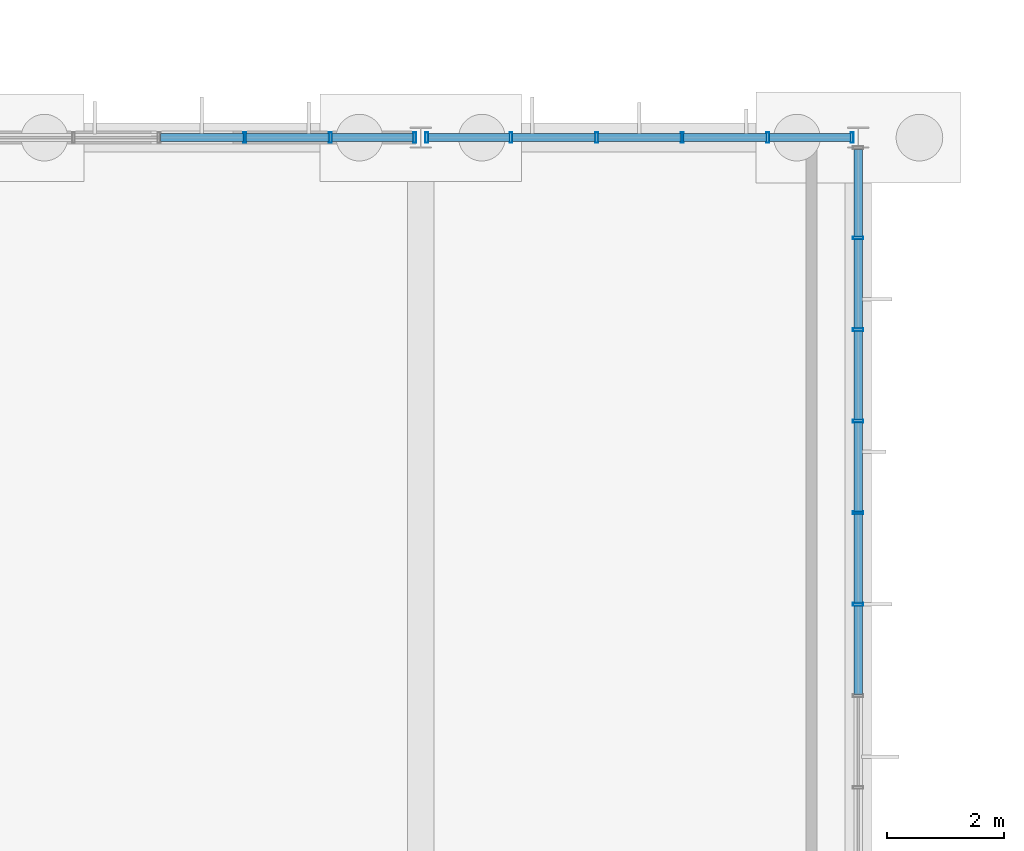
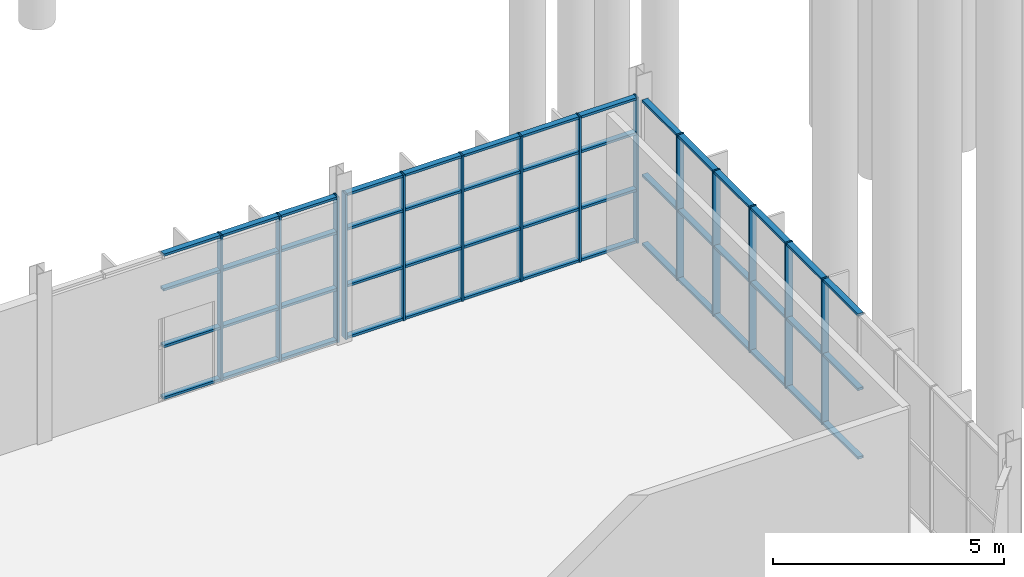
# One storey, part 39 of 136: 64 members, 3 elements without a shape of their own.
"""IFC4 building model written with IfcOpenShell, lengths in metres."""

import ifcopenshell
import ifcopenshell.guid

model = None  # the IFC model being written
_history = None  # IfcOwnerHistory: only IFC2X3 demands one
_inside = {}  # id of a spatial element -> (the spatial element, [elements in it])
_under = {}  # id of a project, library or spatial element -> (it, [spatial elements below it])
_declared = {}  # id of a project -> (the project, [libraries it declares])
_typed = {}  # id of a type object -> (the type object, [elements of that type])
_made_of = {}  # id of a material, layer set ... -> (it, [elements and type objects made of it])


def new_model(schema):
    """Start an empty IFC model of exactly this schema.

    Asked for "IFC4X3", IfcOpenShell would pick the latest addendum, in which some entities
    have other attributes; the version numbers below select the first issue.
    IFC2X3 requires an IfcOwnerHistory on every rooted entity: one is made here for all.
    """
    global model, _history
    if schema == "IFC4X3":
        model = ifcopenshell.file(schema_version=(4, 3, 0, 0))
    else:
        model = ifcopenshell.file(schema=schema)
    _inside.clear()
    _under.clear()
    _declared.clear()
    _typed.clear()
    _made_of.clear()
    _history = None
    if model.schema == "IFC2X3":
        org = make("IfcOrganization", Name="unknown")
        user = make(
            "IfcPersonAndOrganization",
            ThePerson=make("IfcPerson", FamilyName="unknown"),
            TheOrganization=org,
        )
        app = make(
            "IfcApplication",
            ApplicationDeveloper=org,
            Version="unknown",
            ApplicationFullName="unknown",
            ApplicationIdentifier="unknown",
        )
        _history = make(
            "IfcOwnerHistory",
            OwningUser=user,
            OwningApplication=app,
            ChangeAction="ADDED",
            CreationDate=0,
        )
    return model


def make(cls, **values):
    """One entity of the class cls with the attributes given. An attribute that is None is left unset."""
    return model.create_entity(
        cls, **{name: value for name, value in values.items() if value is not None}
    )


def rooted(cls, **values):
    """An entity with a GlobalId (a new one), such as an element, a storey or a relation."""
    return make(cls, GlobalId=ifcopenshell.guid.new(), OwnerHistory=_history, **values)


def si_unit(unit_type, name, prefix=None):
    """IfcSIUnit, for example si_unit("LENGTHUNIT", "METRE", prefix="MILLI")."""
    return make("IfcSIUnit", UnitType=unit_type, Prefix=prefix, Name=name)


def assignment(units):
    """IfcUnitAssignment: the units of a project."""
    return None if units is None else make("IfcUnitAssignment", Units=units)


def point(xyz):
    """IfcCartesianPoint."""
    return None if xyz is None else make("IfcCartesianPoint", Coordinates=xyz)


def direction(xyz):
    """IfcDirection."""
    return None if xyz is None else make("IfcDirection", DirectionRatios=xyz)


def frame(location, z_axis=None, x_axis=None):
    """IfcAxis2Placement3D, a coordinate frame: its origin and axes. An axis left out is left unset."""
    return make(
        "IfcAxis2Placement3D",
        Location=point(location),
        Axis=direction(z_axis),
        RefDirection=direction(x_axis),
    )


def frame_2d(location, x_axis=None):
    """IfcAxis2Placement2D, a coordinate frame in the plane: its origin and x axis."""
    return make(
        "IfcAxis2Placement2D", Location=point(location), RefDirection=direction(x_axis)
    )


def origin():
    """The frame at (0, 0, 0) with its axes left unset."""
    return frame((0.0, 0.0, 0.0))


def origin_2d():
    """The frame at (0, 0) in the plane with its x axis left unset."""
    return frame_2d((0.0, 0.0))


def place(relative_to, where):
    """IfcLocalPlacement: puts the frame where relative to a parent placement (None: the world)."""
    return make(
        "IfcLocalPlacement", PlacementRelTo=relative_to, RelativePlacement=where
    )


def context(
    kind, dimensions, precision=None, world=None, true_north=None, identifier=None
):
    """IfcGeometricRepresentationContext, for example the 3D "Model" context."""
    return make(
        "IfcGeometricRepresentationContext",
        ContextIdentifier=identifier,
        ContextType=kind,
        CoordinateSpaceDimension=dimensions,
        Precision=precision,
        WorldCoordinateSystem=world,
        TrueNorth=true_north,
    )


def subcontext(parent, identifier, kind, view, scale=None):
    """IfcGeometricRepresentationSubContext, for example "Body" below "Model"."""
    return make(
        "IfcGeometricRepresentationSubContext",
        ContextIdentifier=identifier,
        ContextType=kind,
        ParentContext=parent,
        TargetScale=scale,
        TargetView=view,
    )


def project(units=None, contexts=None):
    """IfcProject with its units and contexts."""
    return rooted(
        "IfcProject",
        Name="project",
        RepresentationContexts=contexts,
        UnitsInContext=assignment(units),
    )


def spatial(cls, under=None, at=None, **own):
    """A site, building, storey or space (cls), placed at a placement, below another one or the project."""
    s = rooted(cls, ObjectPlacement=at, **own)
    if under is not None:
        _under.setdefault(under.id(), (under, []))[1].append(s)
    return s


def profile(cls, at=None, kind="AREA", **sizes):
    """A parametric profile (cls). Its sizes go by their IFC names, for example OverallWidth=200.0."""
    return make(cls, ProfileType=kind, Position=at, **sizes)


def hollow_rectangle(**sizes):
    """IfcRectangleHollowProfileDef."""
    return profile("IfcRectangleHollowProfileDef", **sizes)


def extrude(swept, where, along, depth):
    """IfcExtrudedAreaSolid: the profile swept, set in the frame where, extruded along a direction by depth."""
    return make(
        "IfcExtrudedAreaSolid",
        SweptArea=swept,
        Position=where,
        ExtrudedDirection=direction(along),
        Depth=depth,
    )


def shape(context_of_items, identifier, shape_type, items):
    """IfcShapeRepresentation: the items that make up one representation, for example the "Body"."""
    return make(
        "IfcShapeRepresentation",
        ContextOfItems=context_of_items,
        RepresentationIdentifier=identifier,
        RepresentationType=shape_type,
        Items=items,
    )


def material(Name=None, Category=None):
    """IfcMaterial."""
    return make("IfcMaterial", Name=Name, Category=Category)


def layer(
    of_material, thickness, ventilated=None, Name=None, Category=None, Priority=None
):
    """IfcMaterialLayer: one layer of a wall or slab, of a material (None: an air gap)."""
    return make(
        "IfcMaterialLayer",
        Material=of_material,
        LayerThickness=thickness,
        IsVentilated=ventilated,
        Name=Name,
        Category=Category,
        Priority=Priority,
    )


def layer_set(layers, Name=None):
    """IfcMaterialLayerSet."""
    return make("IfcMaterialLayerSet", MaterialLayers=layers, LayerSetName=Name)


def material_profile(
    of_material, cross_section, Name=None, Category=None, Priority=None
):
    """IfcMaterialProfile: a cross section and its material."""
    return make(
        "IfcMaterialProfile",
        Name=Name,
        Material=of_material,
        Profile=cross_section,
        Priority=Priority,
        Category=Category,
    )


def profile_set(profiles, Name=None, composite=None):
    """IfcMaterialProfileSet."""
    return make(
        "IfcMaterialProfileSet",
        Name=Name,
        MaterialProfiles=profiles,
        CompositeProfile=composite,
    )


def made_of(thing, what):
    """Note that an element or type object is made of a material, layer set ...; save() writes the relation."""
    if what is not None:
        _made_of.setdefault(what.id(), (what, []))[1].append(thing)
    return thing


def type_object(cls, material=None, **own):
    """A type object (cls), such as IfcWallType, which elements share."""
    return made_of(rooted(cls, **own), material)


def element(
    cls,
    number,
    at=None,
    inside=None,
    cuts=None,
    type_object=None,
    material=None,
    context=None,
    identifier="Body",
    shape_type=None,
    held_by="IfcProductDefinitionShape",
    body=None,
    shapes=None,
    **own,
):
    """One element of the class cls, such as IfcWall. Its Tag is "e" and its number.

    at: its placement. inside: the storey or other place that contains it. cuts: it is an
    opening in that element (IfcRelVoidsElement). A single representation is given by context,
    identifier, shape_type and body (its items); several are given by shapes. held_by: the class
    of the entity that holds the representations. save() writes the other relations.
    """
    e = rooted(cls, Tag="e%d" % number, ObjectPlacement=at, **own)
    if body is not None:
        shapes = [shape(context, identifier, shape_type, body)]
    if shapes is not None:
        e.Representation = make(held_by, Representations=shapes)
    if inside is not None:
        _inside.setdefault(inside.id(), (inside, []))[1].append(e)
    if cuts is not None:
        rooted(
            "IfcRelVoidsElement", RelatingBuildingElement=cuts, RelatedOpeningElement=e
        )
    if type_object is not None:
        _typed.setdefault(type_object.id(), (type_object, []))[1].append(e)
    return made_of(e, material)


def aggregate(whole, parts):
    """IfcRelAggregates: a whole, such as a stair, and the parts it consists of."""
    return rooted("IfcRelAggregates", RelatingObject=whole, RelatedObjects=parts)


def save(model, path):
    """Write the relations noted so far, then the file.

    IfcRelAggregates (storeys below a building ...), IfcRelContainedInSpatialStructure (elements
    in a storey), IfcRelDefinesByType, IfcRelAssociatesMaterial and IfcRelDeclares: one each for
    every whole, place, type object, material and project.
    """
    for whole, parts in _under.values():
        aggregate(whole, parts)
    for where, things in _inside.values():
        rooted(
            "IfcRelContainedInSpatialStructure",
            RelatedElements=things,
            RelatingStructure=where,
        )
    for kind, things in _typed.values():
        rooted("IfcRelDefinesByType", RelatedObjects=things, RelatingType=kind)
    for what, things in _made_of.values():
        rooted("IfcRelAssociatesMaterial", RelatedObjects=things, RelatingMaterial=what)
    for by, libraries in _declared.values():
        rooted("IfcRelDeclares", RelatingContext=by, RelatedDefinitions=libraries)
    model.write(path)


model = new_model("IFC4")

# Units and contexts
model_context = context("Model", 3, precision=1e-05, world=origin(), true_north=direction((0.0, 1.0)))
body_context = subcontext(model_context, "Body", "Model", "MODEL_VIEW")
ifc_project = project(units=[si_unit("LENGTHUNIT", "METRE"), si_unit("AREAUNIT", "SQUARE_METRE"), si_unit("VOLUMEUNIT", "CUBIC_METRE"), si_unit("PLANEANGLEUNIT", "RADIAN"), si_unit("MASSUNIT", "GRAM", prefix="KILO")], contexts=[model_context])

# Site, building, storey
site_placement = place(None, origin())
site = spatial("IfcSite", under=ifc_project, at=site_placement, CompositionType="ELEMENT")
building_placement = place(site_placement, origin())
building = spatial("IfcBuilding", under=site, at=building_placement, Name="Solvenia Promenade Tram Depot", CompositionType="ELEMENT")
storey_placement = place(building_placement, origin())
storey = spatial("IfcBuildingStorey", under=building, at=storey_placement, Name="L00", CompositionType="ELEMENT", Elevation=0.0)

# Curtain wall, members
ifc_material = material(Name="Anodized aluminium AW-6063 T6", Category="aluminium")
ifc_layer = layer(ifc_material, 0.14990234375, Name="Anodized aluminium AW-6063 T6", Category="aluminium")
ifc_layer_set = layer_set([ifc_layer], Name="Anodized aluminium AW-6063 T6")
curtain_wall_type = type_object("IfcCurtainWallType", Name="CW-Court-1500", PredefinedType="NOTDEFINED", material=ifc_layer_set)
curtain_wall_1_placement = place(storey_placement, origin())
curtain_wall_1 = element("IfcCurtainWall", 1, at=curtain_wall_1_placement, inside=storey, type_object=curtain_wall_type, Name="Curtain Wall CW-V4N-L00-11", PredefinedType="NOTDEFINED")
ifc_material_profile_1 = material_profile(ifc_material, hollow_rectangle(XDim=0.179931640625, YDim=0.050048828125, WallThickness=0.00390625, at=origin_2d()), Name="ALU-M2", Category="aluminium")
ifc_profile_set_1 = profile_set([ifc_material_profile_1], Name="Anodized aluminium AW-6063 T6")
member_type_1 = type_object("IfcMemberType", Name="CWM-Mullion-2", PredefinedType="MULLION", material=ifc_profile_set_1)
member_1_placement = place(storey_placement, frame((79.48388671875, 24.0, 0.0), z_axis=(0.0, 0.0, 1.0), x_axis=(0.0, 1.0, 0.0)))
member_1 = element("IfcMember", 2, at=member_1_placement, type_object=member_type_1, Name="CW-5 mullion 4", PredefinedType="MULLION", context=body_context, shape_type="SweptSolid", body=[
    extrude(hollow_rectangle(XDim=0.179931640625, YDim=0.050048828125, WallThickness=0.00390625, at=origin_2d()), origin(), (0.0, 0.0, 1.0), 3.85009765625),
])
member_2_placement = place(storey_placement, frame((80.951904296875, 24.0, 0.0), z_axis=(0.0, 0.0, 1.0), x_axis=(0.0, 1.0, 0.0)))
member_2 = element("IfcMember", 3, at=member_2_placement, type_object=member_type_1, Name="CW-5 mullion 5", PredefinedType="MULLION", context=body_context, shape_type="SweptSolid", body=[
    extrude(hollow_rectangle(XDim=0.179931640625, YDim=0.050048828125, WallThickness=0.00390625, at=origin_2d()), origin(), (0.0, 0.0, 1.0), 3.85009765625),
])
member_3_placement = place(storey_placement, frame((82.39501953125, 24.0, 0.0), z_axis=(0.0, 0.0, 1.0), x_axis=(0.0, 1.0, 0.0)))
member_3 = element("IfcMember", 4, at=member_3_placement, type_object=member_type_1, Name="CW-5 mullion 6", PredefinedType="MULLION", context=body_context, shape_type="SweptSolid", body=[
    extrude(hollow_rectangle(XDim=0.179931640625, YDim=0.050048828125, WallThickness=0.00390625, at=origin_2d()), origin(), (0.0, 0.0, 1.0), 3.85009765625),
])

curtain_wall_2_placement = place(storey_placement, origin())
curtain_wall_2 = element("IfcCurtainWall", 5, at=curtain_wall_2_placement, inside=storey, type_object=curtain_wall_type, Name="Curtain Wall CW-V4N-L00-12", PredefinedType="NOTDEFINED")
member_4_placement = place(storey_placement, frame((82.60498046875, 24.0, 0.0), z_axis=(0.0, 0.0, 1.0), x_axis=(0.0, 1.0, 0.0)))
member_4 = element("IfcMember", 6, at=member_4_placement, type_object=member_type_1, Name="CW-5 mullion 1", PredefinedType="MULLION", context=body_context, shape_type="SweptSolid", body=[
    extrude(hollow_rectangle(XDim=0.179931640625, YDim=0.050048828125, WallThickness=0.00390625, at=origin_2d()), origin(), (0.0, 0.0, 1.0), 3.85009765625),
])
member_5_placement = place(storey_placement, frame((84.048095703125, 24.0, 0.0), z_axis=(0.0, 0.0, 1.0), x_axis=(0.0, 1.0, 0.0)))
member_5 = element("IfcMember", 7, at=member_5_placement, type_object=member_type_1, Name="CW-5 mullion 2", PredefinedType="MULLION", context=body_context, shape_type="SweptSolid", body=[
    extrude(hollow_rectangle(XDim=0.179931640625, YDim=0.050048828125, WallThickness=0.00390625, at=origin_2d()), origin(), (0.0, 0.0, 1.0), 3.85009765625),
])
member_6_placement = place(storey_placement, frame((85.51611328125, 24.0, 0.0), z_axis=(0.0, 0.0, 1.0), x_axis=(0.0, 1.0, 0.0)))
member_6 = element("IfcMember", 8, at=member_6_placement, type_object=member_type_1, Name="CW-5 mullion 3", PredefinedType="MULLION", context=body_context, shape_type="SweptSolid", body=[
    extrude(hollow_rectangle(XDim=0.179931640625, YDim=0.050048828125, WallThickness=0.00390625, at=origin_2d()), origin(), (0.0, 0.0, 1.0), 3.85009765625),
])
member_7_placement = place(storey_placement, frame((86.98388671875, 24.0, 0.0), z_axis=(0.0, 0.0, 1.0), x_axis=(0.0, 1.0, 0.0)))
member_7 = element("IfcMember", 9, at=member_7_placement, type_object=member_type_1, Name="CW-5 mullion 4", PredefinedType="MULLION", context=body_context, shape_type="SweptSolid", body=[
    extrude(hollow_rectangle(XDim=0.179931640625, YDim=0.050048828125, WallThickness=0.00390625, at=origin_2d()), origin(), (0.0, 0.0, 1.0), 3.85009765625),
])
member_8_placement = place(storey_placement, frame((88.451904296875, 24.0, 0.0), z_axis=(0.0, 0.0, 1.0), x_axis=(0.0, 1.0, 0.0)))
member_8 = element("IfcMember", 10, at=member_8_placement, type_object=member_type_1, Name="CW-5 mullion 5", PredefinedType="MULLION", context=body_context, shape_type="SweptSolid", body=[
    extrude(hollow_rectangle(XDim=0.179931640625, YDim=0.050048828125, WallThickness=0.00390625, at=origin_2d()), origin(), (0.0, 0.0, 1.0), 3.85009765625),
])
member_9_placement = place(storey_placement, frame((89.89501953125, 24.0, 0.0), z_axis=(0.0, 0.0, 1.0), x_axis=(0.0, 1.0, 0.0)))
member_9 = element("IfcMember", 11, at=member_9_placement, type_object=member_type_1, Name="CW-5 mullion 6", PredefinedType="MULLION", context=body_context, shape_type="SweptSolid", body=[
    extrude(hollow_rectangle(XDim=0.179931640625, YDim=0.050048828125, WallThickness=0.00390625, at=origin_2d()), origin(), (0.0, 0.0, 1.0), 3.85009765625),
])

curtain_wall_3_placement = place(storey_placement, origin())
curtain_wall_3 = element("IfcCurtainWall", 12, at=curtain_wall_3_placement, inside=storey, type_object=curtain_wall_type, Name="Curtain Wall CW-V4E-L00", PredefinedType="NOTDEFINED")
member_10_placement = place(storey_placement, frame((90.0, 16.0, 0.0), z_axis=(0.0, 0.0, 1.0), x_axis=(-1.0, 0.0, 0.0)))
member_10 = element("IfcMember", 13, at=member_10_placement, type_object=member_type_1, Name="CW-5 mullion 6", PredefinedType="MULLION", context=body_context, shape_type="SweptSolid", body=[
    extrude(hollow_rectangle(XDim=0.179931640625, YDim=0.050048828125, WallThickness=0.00390625, at=origin_2d()), origin(), (0.0, 0.0, 1.0), 3.85009765625),
])
member_11_placement = place(storey_placement, frame((90.0, 17.570068359375, 0.0), z_axis=(0.0, 0.0, 1.0), x_axis=(-1.0, 0.0, 0.0)))
member_11 = element("IfcMember", 14, at=member_11_placement, type_object=member_type_1, Name="CW-5 mullion 7", PredefinedType="MULLION", context=body_context, shape_type="SweptSolid", body=[
    extrude(hollow_rectangle(XDim=0.179931640625, YDim=0.050048828125, WallThickness=0.00390625, at=origin_2d()), origin(), (0.0, 0.0, 1.0), 3.85009765625),
])
member_12_placement = place(storey_placement, frame((90.0, 19.139892578125, 0.0), z_axis=(0.0, 0.0, 1.0), x_axis=(-1.0, 0.0, 0.0)))
member_12 = element("IfcMember", 15, at=member_12_placement, type_object=member_type_1, Name="CW-5 mullion 8", PredefinedType="MULLION", context=body_context, shape_type="SweptSolid", body=[
    extrude(hollow_rectangle(XDim=0.179931640625, YDim=0.050048828125, WallThickness=0.00390625, at=origin_2d()), origin(), (0.0, 0.0, 1.0), 3.85009765625),
])
member_13_placement = place(storey_placement, frame((90.0, 20.7099609375, 0.0), z_axis=(0.0, 0.0, 1.0), x_axis=(-1.0, 0.0, 0.0)))
member_13 = element("IfcMember", 16, at=member_13_placement, type_object=member_type_1, Name="CW-5 mullion 9", PredefinedType="MULLION", context=body_context, shape_type="SweptSolid", body=[
    extrude(hollow_rectangle(XDim=0.179931640625, YDim=0.050048828125, WallThickness=0.00390625, at=origin_2d()), origin(), (0.0, 0.0, 1.0), 3.85009765625),
])
member_14_placement = place(storey_placement, frame((90.0, 22.280029296875, 0.0), z_axis=(0.0, 0.0, 1.0), x_axis=(-1.0, 0.0, 0.0)))
member_14 = element("IfcMember", 17, at=member_14_placement, type_object=member_type_1, Name="CW-5 mullion 10", PredefinedType="MULLION", context=body_context, shape_type="SweptSolid", body=[
    extrude(hollow_rectangle(XDim=0.179931640625, YDim=0.050048828125, WallThickness=0.00390625, at=origin_2d()), origin(), (0.0, 0.0, 1.0), 3.85009765625),
])

# Member
ifc_material_profile_2 = material_profile(ifc_material, hollow_rectangle(XDim=0.139892578125, YDim=0.06494140625, WallThickness=0.00390625, at=origin_2d()), Name="ALU-T2", Category="aluminium")
ifc_profile_set_2 = profile_set([ifc_material_profile_2], Name="Anodized aluminium AW-6063 T6")
member_type_2 = type_object("IfcMemberType", Name="CWT-Transom-2", PredefinedType="USERDEFINED", material=ifc_profile_set_2)
member_15_placement = place(storey_placement, frame((78.041015625, 24.0, 0.032470703125), z_axis=(1.0, 0.0, 0.0), x_axis=(0.0, 1.0, 0.0)))
member_15 = element("IfcMember", 18, at=member_15_placement, type_object=member_type_2, Name="CW-5 transom 3.1", ObjectType="TRANSOM", PredefinedType="USERDEFINED", context=body_context, shape_type="SweptSolid", body=[
    extrude(hollow_rectangle(XDim=0.139892578125, YDim=0.06494140625, WallThickness=0.00390625, at=origin_2d()), origin(), (0.0, 0.0, 1.0), 1.41796875),
])

member_16_placement = place(storey_placement, frame((78.041015625, 24.0, 1.39990234375), z_axis=(1.0, 0.0, 0.0), x_axis=(0.0, 1.0, 0.0)))
member_16 = element("IfcMember", 19, at=member_16_placement, type_object=member_type_2, Name="CW-5 transom 3.2", ObjectType="TRANSOM", PredefinedType="USERDEFINED", context=body_context, shape_type="SweptSolid", body=[
    extrude(hollow_rectangle(XDim=0.139892578125, YDim=0.06494140625, WallThickness=0.00390625, at=origin_2d()), origin(), (0.0, 0.0, 1.0), 1.41796875),
])

member_17_placement = place(storey_placement, frame((78.041015625, 24.0, 2.89990234375), z_axis=(1.0, 0.0, 0.0), x_axis=(0.0, 1.0, 0.0)))
member_17 = element("IfcMember", 20, at=member_17_placement, type_object=member_type_2, Name="CW-5 transom 3.3", ObjectType="TRANSOM", PredefinedType="USERDEFINED", context=body_context, shape_type="SweptSolid", body=[
    extrude(hollow_rectangle(XDim=0.139892578125, YDim=0.06494140625, WallThickness=0.00390625, at=origin_2d()), origin(), (0.0, 0.0, 1.0), 1.41796875),
])

member_18_placement = place(storey_placement, frame((78.041015625, 24.0, 3.8173828125), z_axis=(1.0, 0.0, 0.0), x_axis=(0.0, 1.0, 0.0)))
member_18 = element("IfcMember", 21, at=member_18_placement, type_object=member_type_2, Name="CW-5 transom 3.4", ObjectType="TRANSOM", PredefinedType="USERDEFINED", context=body_context, shape_type="SweptSolid", body=[
    extrude(hollow_rectangle(XDim=0.139892578125, YDim=0.06494140625, WallThickness=0.00390625, at=origin_2d()), origin(), (0.0, 0.0, 1.0), 1.41796875),
])

member_19_placement = place(storey_placement, frame((79.509033203125, 24.0, 0.032470703125), z_axis=(1.0, 0.0, 0.0), x_axis=(0.0, 1.0, 0.0)))
member_19 = element("IfcMember", 22, at=member_19_placement, type_object=member_type_2, Name="CW-5 transom 4.1", ObjectType="TRANSOM", PredefinedType="USERDEFINED", context=body_context, shape_type="SweptSolid", body=[
    extrude(hollow_rectangle(XDim=0.139892578125, YDim=0.06494140625, WallThickness=0.00390625, at=origin_2d()), origin(), (0.0, 0.0, 1.0), 1.41796875),
])

member_20_placement = place(storey_placement, frame((79.509033203125, 24.0, 1.39990234375), z_axis=(1.0, 0.0, 0.0), x_axis=(0.0, 1.0, 0.0)))
member_20 = element("IfcMember", 23, at=member_20_placement, type_object=member_type_2, Name="CW-5 transom 4.2", ObjectType="TRANSOM", PredefinedType="USERDEFINED", context=body_context, shape_type="SweptSolid", body=[
    extrude(hollow_rectangle(XDim=0.139892578125, YDim=0.06494140625, WallThickness=0.00390625, at=origin_2d()), origin(), (0.0, 0.0, 1.0), 1.41796875),
])

member_21_placement = place(storey_placement, frame((79.509033203125, 24.0, 2.89990234375), z_axis=(1.0, 0.0, 0.0), x_axis=(0.0, 1.0, 0.0)))
member_21 = element("IfcMember", 24, at=member_21_placement, type_object=member_type_2, Name="CW-5 transom 4.3", ObjectType="TRANSOM", PredefinedType="USERDEFINED", context=body_context, shape_type="SweptSolid", body=[
    extrude(hollow_rectangle(XDim=0.139892578125, YDim=0.06494140625, WallThickness=0.00390625, at=origin_2d()), origin(), (0.0, 0.0, 1.0), 1.41796875),
])

member_22_placement = place(storey_placement, frame((79.509033203125, 24.0, 3.8173828125), z_axis=(1.0, 0.0, 0.0), x_axis=(0.0, 1.0, 0.0)))
member_22 = element("IfcMember", 25, at=member_22_placement, type_object=member_type_2, Name="CW-5 transom 4.4", ObjectType="TRANSOM", PredefinedType="USERDEFINED", context=body_context, shape_type="SweptSolid", body=[
    extrude(hollow_rectangle(XDim=0.139892578125, YDim=0.06494140625, WallThickness=0.00390625, at=origin_2d()), origin(), (0.0, 0.0, 1.0), 1.41796875),
])

member_23_placement = place(storey_placement, frame((80.97705078125, 24.0, 0.032470703125), z_axis=(1.0, 0.0, 0.0), x_axis=(0.0, 1.0, 0.0)))
member_23 = element("IfcMember", 26, at=member_23_placement, type_object=member_type_2, Name="CW-5 transom 5.1", ObjectType="TRANSOM", PredefinedType="USERDEFINED", context=body_context, shape_type="SweptSolid", body=[
    extrude(hollow_rectangle(XDim=0.139892578125, YDim=0.06494140625, WallThickness=0.00390625, at=origin_2d()), origin(), (0.0, 0.0, 1.0), 1.39306640625),
])

member_24_placement = place(storey_placement, frame((80.97705078125, 24.0, 1.39990234375), z_axis=(1.0, 0.0, 0.0), x_axis=(0.0, 1.0, 0.0)))
member_24 = element("IfcMember", 27, at=member_24_placement, type_object=member_type_2, Name="CW-5 transom 5.2", ObjectType="TRANSOM", PredefinedType="USERDEFINED", context=body_context, shape_type="SweptSolid", body=[
    extrude(hollow_rectangle(XDim=0.139892578125, YDim=0.06494140625, WallThickness=0.00390625, at=origin_2d()), origin(), (0.0, 0.0, 1.0), 1.39306640625),
])

member_25_placement = place(storey_placement, frame((80.97705078125, 24.0, 2.89990234375), z_axis=(1.0, 0.0, 0.0), x_axis=(0.0, 1.0, 0.0)))
member_25 = element("IfcMember", 28, at=member_25_placement, type_object=member_type_2, Name="CW-5 transom 5.3", ObjectType="TRANSOM", PredefinedType="USERDEFINED", context=body_context, shape_type="SweptSolid", body=[
    extrude(hollow_rectangle(XDim=0.139892578125, YDim=0.06494140625, WallThickness=0.00390625, at=origin_2d()), origin(), (0.0, 0.0, 1.0), 1.39306640625),
])

member_26_placement = place(storey_placement, frame((80.97705078125, 24.0, 3.8173828125), z_axis=(1.0, 0.0, 0.0), x_axis=(0.0, 1.0, 0.0)))
member_26 = element("IfcMember", 29, at=member_26_placement, type_object=member_type_2, Name="CW-5 transom 5.4", ObjectType="TRANSOM", PredefinedType="USERDEFINED", context=body_context, shape_type="SweptSolid", body=[
    extrude(hollow_rectangle(XDim=0.139892578125, YDim=0.06494140625, WallThickness=0.00390625, at=origin_2d()), origin(), (0.0, 0.0, 1.0), 1.39306640625),
])

aggregate(curtain_wall_1, [member_1, member_2, member_3, member_15, member_16, member_17, member_18, member_19, member_20, member_21, member_22, member_23, member_24, member_25, member_26])

member_27_placement = place(storey_placement, frame((82.6298828125, 24.0, 0.032470703125), z_axis=(1.0, 0.0, 0.0), x_axis=(0.0, 1.0, 0.0)))
member_27 = element("IfcMember", 30, at=member_27_placement, type_object=member_type_2, Name="CW-5 transom 1.1", ObjectType="TRANSOM", PredefinedType="USERDEFINED", context=body_context, shape_type="SweptSolid", body=[
    extrude(hollow_rectangle(XDim=0.139892578125, YDim=0.06494140625, WallThickness=0.00390625, at=origin_2d()), origin(), (0.0, 0.0, 1.0), 1.39306640625),
])

member_28_placement = place(storey_placement, frame((82.6298828125, 24.0, 1.39990234375), z_axis=(1.0, 0.0, 0.0), x_axis=(0.0, 1.0, 0.0)))
member_28 = element("IfcMember", 31, at=member_28_placement, type_object=member_type_2, Name="CW-5 transom 1.2", ObjectType="TRANSOM", PredefinedType="USERDEFINED", context=body_context, shape_type="SweptSolid", body=[
    extrude(hollow_rectangle(XDim=0.139892578125, YDim=0.06494140625, WallThickness=0.00390625, at=origin_2d()), origin(), (0.0, 0.0, 1.0), 1.39306640625),
])

member_29_placement = place(storey_placement, frame((82.6298828125, 24.0, 2.89990234375), z_axis=(1.0, 0.0, 0.0), x_axis=(0.0, 1.0, 0.0)))
member_29 = element("IfcMember", 32, at=member_29_placement, type_object=member_type_2, Name="CW-5 transom 1.3", ObjectType="TRANSOM", PredefinedType="USERDEFINED", context=body_context, shape_type="SweptSolid", body=[
    extrude(hollow_rectangle(XDim=0.139892578125, YDim=0.06494140625, WallThickness=0.00390625, at=origin_2d()), origin(), (0.0, 0.0, 1.0), 1.39306640625),
])

member_30_placement = place(storey_placement, frame((82.6298828125, 24.0, 3.8173828125), z_axis=(1.0, 0.0, 0.0), x_axis=(0.0, 1.0, 0.0)))
member_30 = element("IfcMember", 33, at=member_30_placement, type_object=member_type_2, Name="CW-5 transom 1.4", ObjectType="TRANSOM", PredefinedType="USERDEFINED", context=body_context, shape_type="SweptSolid", body=[
    extrude(hollow_rectangle(XDim=0.139892578125, YDim=0.06494140625, WallThickness=0.00390625, at=origin_2d()), origin(), (0.0, 0.0, 1.0), 1.39306640625),
])

member_31_placement = place(storey_placement, frame((84.072998046875, 24.0, 0.032470703125), z_axis=(1.0, 0.0, 0.0), x_axis=(0.0, 1.0, 0.0)))
member_31 = element("IfcMember", 34, at=member_31_placement, type_object=member_type_2, Name="CW-5 transom 2.1", ObjectType="TRANSOM", PredefinedType="USERDEFINED", context=body_context, shape_type="SweptSolid", body=[
    extrude(hollow_rectangle(XDim=0.139892578125, YDim=0.06494140625, WallThickness=0.00390625, at=origin_2d()), origin(), (0.0, 0.0, 1.0), 1.41796875),
])

member_32_placement = place(storey_placement, frame((84.072998046875, 24.0, 1.39990234375), z_axis=(1.0, 0.0, 0.0), x_axis=(0.0, 1.0, 0.0)))
member_32 = element("IfcMember", 35, at=member_32_placement, type_object=member_type_2, Name="CW-5 transom 2.2", ObjectType="TRANSOM", PredefinedType="USERDEFINED", context=body_context, shape_type="SweptSolid", body=[
    extrude(hollow_rectangle(XDim=0.139892578125, YDim=0.06494140625, WallThickness=0.00390625, at=origin_2d()), origin(), (0.0, 0.0, 1.0), 1.41796875),
])

member_33_placement = place(storey_placement, frame((84.072998046875, 24.0, 2.89990234375), z_axis=(1.0, 0.0, 0.0), x_axis=(0.0, 1.0, 0.0)))
member_33 = element("IfcMember", 36, at=member_33_placement, type_object=member_type_2, Name="CW-5 transom 2.3", ObjectType="TRANSOM", PredefinedType="USERDEFINED", context=body_context, shape_type="SweptSolid", body=[
    extrude(hollow_rectangle(XDim=0.139892578125, YDim=0.06494140625, WallThickness=0.00390625, at=origin_2d()), origin(), (0.0, 0.0, 1.0), 1.41796875),
])

member_34_placement = place(storey_placement, frame((84.072998046875, 24.0, 3.8173828125), z_axis=(1.0, 0.0, 0.0), x_axis=(0.0, 1.0, 0.0)))
member_34 = element("IfcMember", 37, at=member_34_placement, type_object=member_type_2, Name="CW-5 transom 2.4", ObjectType="TRANSOM", PredefinedType="USERDEFINED", context=body_context, shape_type="SweptSolid", body=[
    extrude(hollow_rectangle(XDim=0.139892578125, YDim=0.06494140625, WallThickness=0.00390625, at=origin_2d()), origin(), (0.0, 0.0, 1.0), 1.41796875),
])

member_35_placement = place(storey_placement, frame((85.541015625, 24.0, 0.032470703125), z_axis=(1.0, 0.0, 0.0), x_axis=(0.0, 1.0, 0.0)))
member_35 = element("IfcMember", 38, at=member_35_placement, type_object=member_type_2, Name="CW-5 transom 3.1", ObjectType="TRANSOM", PredefinedType="USERDEFINED", context=body_context, shape_type="SweptSolid", body=[
    extrude(hollow_rectangle(XDim=0.139892578125, YDim=0.06494140625, WallThickness=0.00390625, at=origin_2d()), origin(), (0.0, 0.0, 1.0), 1.41796875),
])

member_36_placement = place(storey_placement, frame((85.541015625, 24.0, 1.39990234375), z_axis=(1.0, 0.0, 0.0), x_axis=(0.0, 1.0, 0.0)))
member_36 = element("IfcMember", 39, at=member_36_placement, type_object=member_type_2, Name="CW-5 transom 3.2", ObjectType="TRANSOM", PredefinedType="USERDEFINED", context=body_context, shape_type="SweptSolid", body=[
    extrude(hollow_rectangle(XDim=0.139892578125, YDim=0.06494140625, WallThickness=0.00390625, at=origin_2d()), origin(), (0.0, 0.0, 1.0), 1.41796875),
])

member_37_placement = place(storey_placement, frame((85.541015625, 24.0, 2.89990234375), z_axis=(1.0, 0.0, 0.0), x_axis=(0.0, 1.0, 0.0)))
member_37 = element("IfcMember", 40, at=member_37_placement, type_object=member_type_2, Name="CW-5 transom 3.3", ObjectType="TRANSOM", PredefinedType="USERDEFINED", context=body_context, shape_type="SweptSolid", body=[
    extrude(hollow_rectangle(XDim=0.139892578125, YDim=0.06494140625, WallThickness=0.00390625, at=origin_2d()), origin(), (0.0, 0.0, 1.0), 1.41796875),
])

member_38_placement = place(storey_placement, frame((85.541015625, 24.0, 3.8173828125), z_axis=(1.0, 0.0, 0.0), x_axis=(0.0, 1.0, 0.0)))
member_38 = element("IfcMember", 41, at=member_38_placement, type_object=member_type_2, Name="CW-5 transom 3.4", ObjectType="TRANSOM", PredefinedType="USERDEFINED", context=body_context, shape_type="SweptSolid", body=[
    extrude(hollow_rectangle(XDim=0.139892578125, YDim=0.06494140625, WallThickness=0.00390625, at=origin_2d()), origin(), (0.0, 0.0, 1.0), 1.41796875),
])

member_39_placement = place(storey_placement, frame((87.009033203125, 24.0, 0.032470703125), z_axis=(1.0, 0.0, 0.0), x_axis=(0.0, 1.0, 0.0)))
member_39 = element("IfcMember", 42, at=member_39_placement, type_object=member_type_2, Name="CW-5 transom 4.1", ObjectType="TRANSOM", PredefinedType="USERDEFINED", context=body_context, shape_type="SweptSolid", body=[
    extrude(hollow_rectangle(XDim=0.139892578125, YDim=0.06494140625, WallThickness=0.00390625, at=origin_2d()), origin(), (0.0, 0.0, 1.0), 1.41796875),
])

member_40_placement = place(storey_placement, frame((87.009033203125, 24.0, 1.39990234375), z_axis=(1.0, 0.0, 0.0), x_axis=(0.0, 1.0, 0.0)))
member_40 = element("IfcMember", 43, at=member_40_placement, type_object=member_type_2, Name="CW-5 transom 4.2", ObjectType="TRANSOM", PredefinedType="USERDEFINED", context=body_context, shape_type="SweptSolid", body=[
    extrude(hollow_rectangle(XDim=0.139892578125, YDim=0.06494140625, WallThickness=0.00390625, at=origin_2d()), origin(), (0.0, 0.0, 1.0), 1.41796875),
])

member_41_placement = place(storey_placement, frame((87.009033203125, 24.0, 2.89990234375), z_axis=(1.0, 0.0, 0.0), x_axis=(0.0, 1.0, 0.0)))
member_41 = element("IfcMember", 44, at=member_41_placement, type_object=member_type_2, Name="CW-5 transom 4.3", ObjectType="TRANSOM", PredefinedType="USERDEFINED", context=body_context, shape_type="SweptSolid", body=[
    extrude(hollow_rectangle(XDim=0.139892578125, YDim=0.06494140625, WallThickness=0.00390625, at=origin_2d()), origin(), (0.0, 0.0, 1.0), 1.41796875),
])

member_42_placement = place(storey_placement, frame((87.009033203125, 24.0, 3.8173828125), z_axis=(1.0, 0.0, 0.0), x_axis=(0.0, 1.0, 0.0)))
member_42 = element("IfcMember", 45, at=member_42_placement, type_object=member_type_2, Name="CW-5 transom 4.4", ObjectType="TRANSOM", PredefinedType="USERDEFINED", context=body_context, shape_type="SweptSolid", body=[
    extrude(hollow_rectangle(XDim=0.139892578125, YDim=0.06494140625, WallThickness=0.00390625, at=origin_2d()), origin(), (0.0, 0.0, 1.0), 1.41796875),
])

member_43_placement = place(storey_placement, frame((88.47705078125, 24.0, 0.032470703125), z_axis=(1.0, 0.0, 0.0), x_axis=(0.0, 1.0, 0.0)))
member_43 = element("IfcMember", 46, at=member_43_placement, type_object=member_type_2, Name="CW-5 transom 5.1", ObjectType="TRANSOM", PredefinedType="USERDEFINED", context=body_context, shape_type="SweptSolid", body=[
    extrude(hollow_rectangle(XDim=0.139892578125, YDim=0.06494140625, WallThickness=0.00390625, at=origin_2d()), origin(), (0.0, 0.0, 1.0), 1.39306640625),
])

member_44_placement = place(storey_placement, frame((88.47705078125, 24.0, 1.39990234375), z_axis=(1.0, 0.0, 0.0), x_axis=(0.0, 1.0, 0.0)))
member_44 = element("IfcMember", 47, at=member_44_placement, type_object=member_type_2, Name="CW-5 transom 5.2", ObjectType="TRANSOM", PredefinedType="USERDEFINED", context=body_context, shape_type="SweptSolid", body=[
    extrude(hollow_rectangle(XDim=0.139892578125, YDim=0.06494140625, WallThickness=0.00390625, at=origin_2d()), origin(), (0.0, 0.0, 1.0), 1.39306640625),
])

member_45_placement = place(storey_placement, frame((88.47705078125, 24.0, 2.89990234375), z_axis=(1.0, 0.0, 0.0), x_axis=(0.0, 1.0, 0.0)))
member_45 = element("IfcMember", 48, at=member_45_placement, type_object=member_type_2, Name="CW-5 transom 5.3", ObjectType="TRANSOM", PredefinedType="USERDEFINED", context=body_context, shape_type="SweptSolid", body=[
    extrude(hollow_rectangle(XDim=0.139892578125, YDim=0.06494140625, WallThickness=0.00390625, at=origin_2d()), origin(), (0.0, 0.0, 1.0), 1.39306640625),
])

member_46_placement = place(storey_placement, frame((88.47705078125, 24.0, 3.8173828125), z_axis=(1.0, 0.0, 0.0), x_axis=(0.0, 1.0, 0.0)))
member_46 = element("IfcMember", 49, at=member_46_placement, type_object=member_type_2, Name="CW-5 transom 5.4", ObjectType="TRANSOM", PredefinedType="USERDEFINED", context=body_context, shape_type="SweptSolid", body=[
    extrude(hollow_rectangle(XDim=0.139892578125, YDim=0.06494140625, WallThickness=0.00390625, at=origin_2d()), origin(), (0.0, 0.0, 1.0), 1.39306640625),
])

aggregate(curtain_wall_2, [member_4, member_5, member_6, member_7, member_8, member_9, member_27, member_28, member_29, member_30, member_31, member_32, member_33, member_34, member_35, member_36, member_37, member_38, member_39, member_40, member_41, member_42, member_43, member_44, member_45, member_46])

member_47_placement = place(storey_placement, frame((90.0, 14.455078125, 0.032470703125), z_axis=(0.0, 1.0, 0.0), x_axis=(-1.0, 0.0, 0.0)))
member_47 = element("IfcMember", 50, at=member_47_placement, type_object=member_type_2, Name="CW-5 transom 5.1", ObjectType="TRANSOM", PredefinedType="USERDEFINED", context=body_context, shape_type="SweptSolid", body=[
    extrude(hollow_rectangle(XDim=0.139892578125, YDim=0.06494140625, WallThickness=0.00390625, at=origin_2d()), origin(), (0.0, 0.0, 1.0), 1.52001953125),
])

member_48_placement = place(storey_placement, frame((90.0, 14.455078125, 1.85009765625), z_axis=(0.0, 1.0, 0.0), x_axis=(-1.0, 0.0, 0.0)))
member_48 = element("IfcMember", 51, at=member_48_placement, type_object=member_type_2, Name="CW-5 transom 5.2", ObjectType="TRANSOM", PredefinedType="USERDEFINED", context=body_context, shape_type="SweptSolid", body=[
    extrude(hollow_rectangle(XDim=0.139892578125, YDim=0.06494140625, WallThickness=0.00390625, at=origin_2d()), origin(), (0.0, 0.0, 1.0), 1.52001953125),
])

member_49_placement = place(storey_placement, frame((90.0, 14.455078125, 3.8173828125), z_axis=(0.0, 1.0, 0.0), x_axis=(-1.0, 0.0, 0.0)))
member_49 = element("IfcMember", 52, at=member_49_placement, type_object=member_type_2, Name="CW-5 transom 5.3", ObjectType="TRANSOM", PredefinedType="USERDEFINED", context=body_context, shape_type="SweptSolid", body=[
    extrude(hollow_rectangle(XDim=0.139892578125, YDim=0.06494140625, WallThickness=0.00390625, at=origin_2d()), origin(), (0.0, 0.0, 1.0), 1.52001953125),
])

member_50_placement = place(storey_placement, frame((90.0, 16.02490234375, 0.032470703125), z_axis=(0.0, 1.0, 0.0), x_axis=(-1.0, 0.0, 0.0)))
member_50 = element("IfcMember", 53, at=member_50_placement, type_object=member_type_2, Name="CW-5 transom 6.1", ObjectType="TRANSOM", PredefinedType="USERDEFINED", context=body_context, shape_type="SweptSolid", body=[
    extrude(hollow_rectangle(XDim=0.139892578125, YDim=0.06494140625, WallThickness=0.00390625, at=origin_2d()), origin(), (0.0, 0.0, 1.0), 1.52001953125),
])

member_51_placement = place(storey_placement, frame((90.0, 16.02490234375, 1.85009765625), z_axis=(0.0, 1.0, 0.0), x_axis=(-1.0, 0.0, 0.0)))
member_51 = element("IfcMember", 54, at=member_51_placement, type_object=member_type_2, Name="CW-5 transom 6.2", ObjectType="TRANSOM", PredefinedType="USERDEFINED", context=body_context, shape_type="SweptSolid", body=[
    extrude(hollow_rectangle(XDim=0.139892578125, YDim=0.06494140625, WallThickness=0.00390625, at=origin_2d()), origin(), (0.0, 0.0, 1.0), 1.52001953125),
])

member_52_placement = place(storey_placement, frame((90.0, 16.02490234375, 3.8173828125), z_axis=(0.0, 1.0, 0.0), x_axis=(-1.0, 0.0, 0.0)))
member_52 = element("IfcMember", 55, at=member_52_placement, type_object=member_type_2, Name="CW-5 transom 6.3", ObjectType="TRANSOM", PredefinedType="USERDEFINED", context=body_context, shape_type="SweptSolid", body=[
    extrude(hollow_rectangle(XDim=0.139892578125, YDim=0.06494140625, WallThickness=0.00390625, at=origin_2d()), origin(), (0.0, 0.0, 1.0), 1.52001953125),
])

member_53_placement = place(storey_placement, frame((90.0, 17.594970703125, 0.032470703125), z_axis=(0.0, 1.0, 0.0), x_axis=(-1.0, 0.0, 0.0)))
member_53 = element("IfcMember", 56, at=member_53_placement, type_object=member_type_2, Name="CW-5 transom 7.1", ObjectType="TRANSOM", PredefinedType="USERDEFINED", context=body_context, shape_type="SweptSolid", body=[
    extrude(hollow_rectangle(XDim=0.139892578125, YDim=0.06494140625, WallThickness=0.00390625, at=origin_2d()), origin(), (0.0, 0.0, 1.0), 1.52001953125),
])

member_54_placement = place(storey_placement, frame((90.0, 17.594970703125, 1.85009765625), z_axis=(0.0, 1.0, 0.0), x_axis=(-1.0, 0.0, 0.0)))
member_54 = element("IfcMember", 57, at=member_54_placement, type_object=member_type_2, Name="CW-5 transom 7.2", ObjectType="TRANSOM", PredefinedType="USERDEFINED", context=body_context, shape_type="SweptSolid", body=[
    extrude(hollow_rectangle(XDim=0.139892578125, YDim=0.06494140625, WallThickness=0.00390625, at=origin_2d()), origin(), (0.0, 0.0, 1.0), 1.52001953125),
])

member_55_placement = place(storey_placement, frame((90.0, 17.594970703125, 3.8173828125), z_axis=(0.0, 1.0, 0.0), x_axis=(-1.0, 0.0, 0.0)))
member_55 = element("IfcMember", 58, at=member_55_placement, type_object=member_type_2, Name="CW-5 transom 7.3", ObjectType="TRANSOM", PredefinedType="USERDEFINED", context=body_context, shape_type="SweptSolid", body=[
    extrude(hollow_rectangle(XDim=0.139892578125, YDim=0.06494140625, WallThickness=0.00390625, at=origin_2d()), origin(), (0.0, 0.0, 1.0), 1.52001953125),
])

member_56_placement = place(storey_placement, frame((90.0, 19.1650390625, 0.032470703125), z_axis=(0.0, 1.0, 0.0), x_axis=(-1.0, 0.0, 0.0)))
member_56 = element("IfcMember", 59, at=member_56_placement, type_object=member_type_2, Name="CW-5 transom 8.1", ObjectType="TRANSOM", PredefinedType="USERDEFINED", context=body_context, shape_type="SweptSolid", body=[
    extrude(hollow_rectangle(XDim=0.139892578125, YDim=0.06494140625, WallThickness=0.00390625, at=origin_2d()), origin(), (0.0, 0.0, 1.0), 1.52001953125),
])

member_57_placement = place(storey_placement, frame((90.0, 19.1650390625, 1.85009765625), z_axis=(0.0, 1.0, 0.0), x_axis=(-1.0, 0.0, 0.0)))
member_57 = element("IfcMember", 60, at=member_57_placement, type_object=member_type_2, Name="CW-5 transom 8.2", ObjectType="TRANSOM", PredefinedType="USERDEFINED", context=body_context, shape_type="SweptSolid", body=[
    extrude(hollow_rectangle(XDim=0.139892578125, YDim=0.06494140625, WallThickness=0.00390625, at=origin_2d()), origin(), (0.0, 0.0, 1.0), 1.52001953125),
])

member_58_placement = place(storey_placement, frame((90.0, 19.1650390625, 3.8173828125), z_axis=(0.0, 1.0, 0.0), x_axis=(-1.0, 0.0, 0.0)))
member_58 = element("IfcMember", 61, at=member_58_placement, type_object=member_type_2, Name="CW-5 transom 8.3", ObjectType="TRANSOM", PredefinedType="USERDEFINED", context=body_context, shape_type="SweptSolid", body=[
    extrude(hollow_rectangle(XDim=0.139892578125, YDim=0.06494140625, WallThickness=0.00390625, at=origin_2d()), origin(), (0.0, 0.0, 1.0), 1.52001953125),
])

member_59_placement = place(storey_placement, frame((90.0, 20.735107421875, 0.032470703125), z_axis=(0.0, 1.0, 0.0), x_axis=(-1.0, 0.0, 0.0)))
member_59 = element("IfcMember", 62, at=member_59_placement, type_object=member_type_2, Name="CW-5 transom 9.1", ObjectType="TRANSOM", PredefinedType="USERDEFINED", context=body_context, shape_type="SweptSolid", body=[
    extrude(hollow_rectangle(XDim=0.139892578125, YDim=0.06494140625, WallThickness=0.00390625, at=origin_2d()), origin(), (0.0, 0.0, 1.0), 1.519775390625),
])

member_60_placement = place(storey_placement, frame((90.0, 20.735107421875, 1.85009765625), z_axis=(0.0, 1.0, 0.0), x_axis=(-1.0, 0.0, 0.0)))
member_60 = element("IfcMember", 63, at=member_60_placement, type_object=member_type_2, Name="CW-5 transom 9.2", ObjectType="TRANSOM", PredefinedType="USERDEFINED", context=body_context, shape_type="SweptSolid", body=[
    extrude(hollow_rectangle(XDim=0.139892578125, YDim=0.06494140625, WallThickness=0.00390625, at=origin_2d()), origin(), (0.0, 0.0, 1.0), 1.519775390625),
])

member_61_placement = place(storey_placement, frame((90.0, 20.735107421875, 3.8173828125), z_axis=(0.0, 1.0, 0.0), x_axis=(-1.0, 0.0, 0.0)))
member_61 = element("IfcMember", 64, at=member_61_placement, type_object=member_type_2, Name="CW-5 transom 9.3", ObjectType="TRANSOM", PredefinedType="USERDEFINED", context=body_context, shape_type="SweptSolid", body=[
    extrude(hollow_rectangle(XDim=0.139892578125, YDim=0.06494140625, WallThickness=0.00390625, at=origin_2d()), origin(), (0.0, 0.0, 1.0), 1.519775390625),
])

member_62_placement = place(storey_placement, frame((90.0, 22.304931640625, 0.032470703125), z_axis=(0.0, 1.0, 0.0), x_axis=(-1.0, 0.0, 0.0)))
member_62 = element("IfcMember", 65, at=member_62_placement, type_object=member_type_2, Name="CW-5 transom 10.1", ObjectType="TRANSOM", PredefinedType="USERDEFINED", context=body_context, shape_type="SweptSolid", body=[
    extrude(hollow_rectangle(XDim=0.139892578125, YDim=0.06494140625, WallThickness=0.00390625, at=origin_2d()), origin(), (0.0, 0.0, 1.0), 1.4951171875),
])

member_63_placement = place(storey_placement, frame((90.0, 22.304931640625, 1.85009765625), z_axis=(0.0, 1.0, 0.0), x_axis=(-1.0, 0.0, 0.0)))
member_63 = element("IfcMember", 66, at=member_63_placement, type_object=member_type_2, Name="CW-5 transom 10.2", ObjectType="TRANSOM", PredefinedType="USERDEFINED", context=body_context, shape_type="SweptSolid", body=[
    extrude(hollow_rectangle(XDim=0.139892578125, YDim=0.06494140625, WallThickness=0.00390625, at=origin_2d()), origin(), (0.0, 0.0, 1.0), 1.4951171875),
])

member_64_placement = place(storey_placement, frame((90.0, 22.304931640625, 3.8173828125), z_axis=(0.0, 1.0, 0.0), x_axis=(-1.0, 0.0, 0.0)))
member_64 = element("IfcMember", 67, at=member_64_placement, type_object=member_type_2, Name="CW-5 transom 10.3", ObjectType="TRANSOM", PredefinedType="USERDEFINED", context=body_context, shape_type="SweptSolid", body=[
    extrude(hollow_rectangle(XDim=0.139892578125, YDim=0.06494140625, WallThickness=0.00390625, at=origin_2d()), origin(), (0.0, 0.0, 1.0), 1.4951171875),
])

aggregate(curtain_wall_3, [member_10, member_11, member_12, member_13, member_14, member_47, member_48, member_49, member_50, member_51, member_52, member_53, member_54, member_55, member_56, member_57, member_58, member_59, member_60, member_61, member_62, member_63, member_64])

save(model, "model.ifc")
